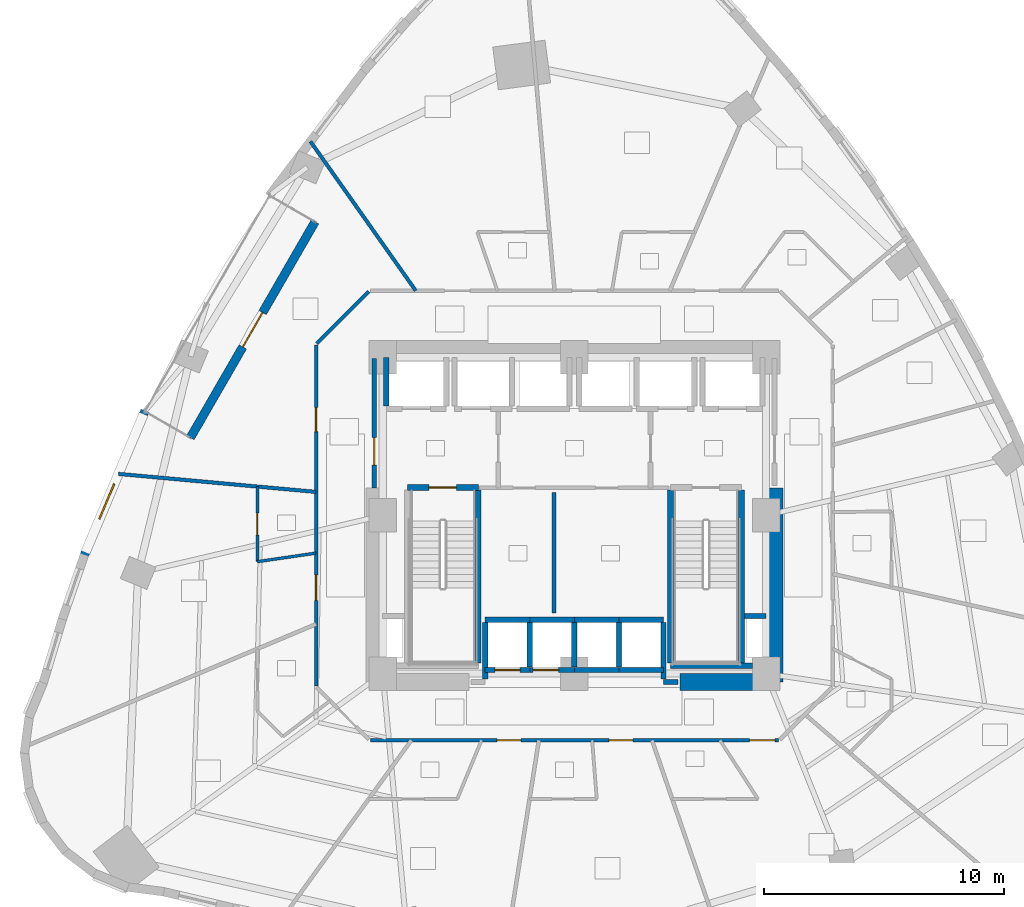
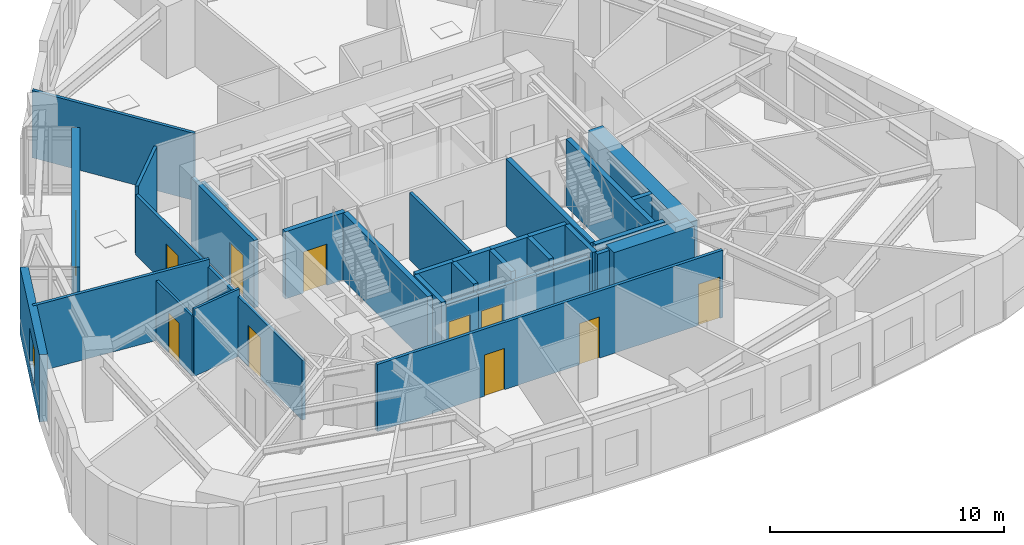
# One storey, part 6 of 12: 34 walls, 11 doors, 1 window, 12 openings.
"""IFC4 building model written with IfcOpenShell, lengths in metres."""

from ifc_helpers import new_model, si_unit, direction, frame, frame_2d, origin, place, context, subcontext, project, spatial, rectangle, extrude, material, layer, layer_set, type_object, element, fill, save


model = new_model("IFC4")

# Units and contexts
model_context = context("Model", 3, precision=1e-05, world=origin(), true_north=direction((0.0, 1.0)))
body_context = subcontext(model_context, "Body", "Model", "MODEL_VIEW")
ifc_project = project(units=[si_unit("LENGTHUNIT", "METRE"), si_unit("AREAUNIT", "SQUARE_METRE"), si_unit("VOLUMEUNIT", "CUBIC_METRE"), si_unit("PLANEANGLEUNIT", "RADIAN"), si_unit("MASSUNIT", "GRAM", prefix="KILO")], contexts=[model_context])

# Site, building, storey
site_placement = place(None, origin())
site = spatial("IfcSite", under=ifc_project, at=site_placement, CompositionType="ELEMENT")
building_placement = place(site_placement, origin())
building = spatial("IfcBuilding", under=site, at=building_placement, Name="Ndelora Gate Hotel", CompositionType="ELEMENT")
storey_placement = place(building_placement, frame((0.0, 0.0, 38.0)))
storey = spatial("IfcBuildingStorey", under=building, at=storey_placement, Name="L08", CompositionType="ELEMENT", Elevation=38.0)

# Wall, opening, door
ifc_material_1 = material(Name="Clay Brick Masonry", Category="masonry")
ifc_layer_1 = layer(ifc_material_1, 0.360107421875)
ifc_layer_set_1 = layer_set([ifc_layer_1], Name="Clay Brick Masonry")
wall_type_1 = type_object("IfcWallType", Name="WL-BRICK-360", PredefinedType="SOLIDWALL", material=ifc_layer_set_1)
wall_1_placement = place(storey_placement, frame((-16.02490234375, 3.24755859375, 0.0), z_axis=(0.0, 0.0, 1.0), x_axis=(0.499999493275, 0.866025696342, 0.0)))
wall_1 = element("IfcWall", 1, at=wall_1_placement, inside=storey, type_object=wall_type_1, Name="L08 Sky-Garden Loggia Rear Brick Wall", PredefinedType="SOLIDWALL", context=body_context, shape_type="SweptSolid", body=[
    extrude(rectangle(XDim=10.39990234375, YDim=0.360107421875, at=frame_2d((5.199951171875, 0.0))), origin(), (0.0, 0.0, 1.0), 3.5),
])
opening_1_placement = place(wall_1_placement, frame((4.375, 0.0, 0.0)))
opening_1 = element("IfcOpeningElement", 2, at=opening_1_placement, cuts=wall_1, Name="Opening TD1", PredefinedType="OPENING", context=body_context, shape_type="SweptSolid", body=[
    extrude(rectangle(XDim=1.64990234375, YDim=2.25, at=frame_2d((0.824951171875, 1.125))), frame((0.0, 0.18994140625, 0.0), z_axis=(0.0, -1.0, 0.0), x_axis=(1.0, 0.0, 0.0)), (0.0, 0.0, 1.0), 0.380126953125),
])
ifc_material_2 = material(Name="Architectural Bronze Glazed Door", Category="metal")
door_type_1 = type_object("IfcDoorType", Name="DR-TER-1650", OperationType="DOUBLE_DOOR_SINGLE_SWING", PredefinedType="DOOR", material=ifc_material_2)
door_1_placement = place(opening_1_placement, origin())
door_1 = element("IfcDoor", 3, at=door_1_placement, inside=storey, type_object=door_type_1, Name="L08 Sky-Garden Terrace Double Door TD1", OperationType="DOUBLE_DOOR_SINGLE_SWING", OverallHeight=2.25, OverallWidth=1.64990234375, PredefinedType="DOOR", context=body_context, shape_type="SweptSolid", body=[
    extrude(rectangle(XDim=1.64990234375, YDim=2.25, at=frame_2d((0.824951171875, 1.125))), frame((0.0, 0.02490234375, 0.0), z_axis=(0.0, -1.0, 0.0), x_axis=(1.0, 0.0, 0.0)), (0.0, 0.0, 1.0), 0.050048828125),
])
fill(opening_1, door_1)

# Wall, opening, window
wall_2_placement = place(storey_placement, frame((-20.46630859375, -1.681640625, 0.0), z_axis=(0.0, 0.0, 1.0), x_axis=(0.387744465456, 0.921766906277, 0.0)))
wall_2 = element("IfcWall", 4, at=wall_2_placement, inside=storey, type_object=wall_type_1, Name="L08 Tower Brick Pier-and-Spandrel Wall TWR-16", PredefinedType="SOLIDWALL", context=body_context, shape_type="SweptSolid", body=[
    extrude(rectangle(XDim=6.56591796875, YDim=0.360107421875, at=frame_2d((3.282958984375, 0.0))), origin(), (0.0, 0.0, 1.0), 3.5),
])
opening_2_placement = place(wall_2_placement, frame((1.659912109375, 0.0, 0.719970703125)))
opening_2 = element("IfcOpeningElement", 5, at=opening_2_placement, cuts=wall_2, Name="Opening W01", PredefinedType="OPENING", context=body_context, shape_type="SweptSolid", body=[
    extrude(rectangle(XDim=1.60009765625, YDim=1.8798828125, at=frame_2d((0.800048828125, 0.93994140625))), frame((0.0, 0.18994140625, 0.0), z_axis=(0.0, -1.0, 0.0), x_axis=(1.0, 0.0, 0.0)), (0.0, 0.0, 1.0), 0.380126953125),
])
ifc_material_3 = material(Name="Insulated Low-E Double Glazing in Bronze Aluminium Frame", Category="aluminium")
window_type = type_object("IfcWindowType", Name="WN-DEEP-1600", PartitioningType="SINGLE_PANEL", PredefinedType="WINDOW", material=ifc_material_3)
window_placement = place(opening_2_placement, origin())
window = element("IfcWindow", 6, at=window_placement, inside=storey, type_object=window_type, Name="L08 Deep-Set Brick-Pier Window W01", OverallHeight=1.8798828125, OverallWidth=1.60009765625, PartitioningType="SINGLE_PANEL", PredefinedType="WINDOW", context=body_context, shape_type="SweptSolid", body=[
    extrude(rectangle(XDim=1.60009765625, YDim=1.8798828125, at=frame_2d((0.800048828125, 0.93994140625))), frame((0.0, 0.030029296875, 0.0), z_axis=(0.0, -1.0, 0.0), x_axis=(1.0, 0.0, 0.0)), (0.0, 0.0, 1.0), 0.06005859375),
])
fill(opening_2, window)

# Walls
ifc_material_4 = material(Name="Concrete C60/75", Category="concrete")
ifc_layer_2 = layer(ifc_material_4, 0.699951171875)
ifc_layer_set_2 = layer_set([ifc_layer_2], Name="Concrete C60/75")
wall_type_2 = type_object("IfcWallType", Name="WL-CORE-700", PredefinedType="SHEAR", material=ifc_layer_set_2)
wall_3_placement = place(storey_placement, frame((4.39990234375, -6.949951171875, 0.0), z_axis=(0.0, 0.0, 1.0), x_axis=(1.0, 0.0, 0.0)))
element("IfcWall", 7, at=wall_3_placement, inside=storey, type_object=wall_type_2, Name="L08 Core Shear Wall S-E", PredefinedType="SHEAR", context=body_context, shape_type="SweptSolid", body=[
    extrude(rectangle(XDim=3.9501953125, YDim=0.699951171875, at=frame_2d((1.97509765625, 0.0))), origin(), (0.0, 0.0, 1.0), 3.5),
])
wall_4_placement = place(storey_placement, frame((8.35009765625, -6.949951171875, 0.0), z_axis=(0.0, 0.0, 1.0), x_axis=(0.0, 1.0, 0.0)))
element("IfcWall", 8, at=wall_4_placement, inside=storey, type_object=wall_type_2, Name="L08 Core Shear Wall E", PredefinedType="SHEAR", context=body_context, shape_type="SweptSolid", body=[
    extrude(rectangle(XDim=8.099853515625, YDim=0.699951171875, at=frame_2d((4.0498046875, 0.0))), origin(), (0.0, 0.0, 1.0), 3.5),
])

# Wall, opening, door
ifc_material_5 = material(Name="Concrete C40/50", Category="concrete")
ifc_layer_3 = layer(ifc_material_5, 0.199951171875)
ifc_layer_set_3 = layer_set([ifc_layer_3], Name="Concrete C40/50")
wall_type_3 = type_object("IfcWallType", Name="WL-FIRE-200", PredefinedType="PARTITIONING", material=ifc_layer_set_3)
wall_5_placement = place(storey_placement, frame((-8.35009765625, 1.14990234375, 0.0), z_axis=(0.0, 0.0, 1.0), x_axis=(0.0, 1.0, 0.0)))
wall_5 = element("IfcWall", 9, at=wall_5_placement, inside=storey, type_object=wall_type_3, Name="L08 Interior Wall IW-2", PredefinedType="PARTITIONING", context=body_context, shape_type="SweptSolid", body=[
    extrude(rectangle(XDim=5.400146484375, YDim=0.199951171875, at=frame_2d((2.7001953125, 0.0))), origin(), (0.0, 0.0, 1.0), 3.5),
])
opening_3_placement = place(wall_5_placement, frame((0.949951171875, 0.0, 0.0)))
opening_3 = element("IfcOpeningElement", 10, at=opening_3_placement, cuts=wall_5, Name="Opening FD1", PredefinedType="OPENING", context=body_context, shape_type="SweptSolid", body=[
    extrude(rectangle(XDim=1.14990234375, YDim=2.14990234375, at=frame_2d((0.574951171875, 1.074951171875))), frame((0.0, 0.10986328125, 0.0), z_axis=(0.0, -1.0, 0.0), x_axis=(1.0, 0.0, 0.0)), (0.0, 0.0, 1.0), 0.219970703125),
])
ifc_material_6 = material(Name="Fire-Rated Timber-Veneer Steel Core", Category="steel")
door_type_2 = type_object("IfcDoorType", Name="DR-FD60", OperationType="SINGLE_SWING_LEFT", PredefinedType="DOOR", material=ifc_material_6)
door_2_placement = place(opening_3_placement, origin())
door_2 = element("IfcDoor", 11, at=door_2_placement, inside=storey, type_object=door_type_2, Name="L08 Firefighting Lobby West Corridor Door", OperationType="SINGLE_SWING_LEFT", OverallHeight=2.14990234375, OverallWidth=1.14990234375, PredefinedType="DOOR", context=body_context, shape_type="SweptSolid", body=[
    extrude(rectangle(XDim=1.14990234375, YDim=2.14990234375, at=frame_2d((0.574951171875, 1.074951171875))), frame((0.0, 0.02490234375, 0.0), z_axis=(0.0, -1.0, 0.0), x_axis=(1.0, 0.0, 0.0)), (0.0, 0.0, 1.0), 0.050048828125),
])
fill(opening_3, door_2)

# Walls
wall_6_placement = place(storey_placement, frame((3.719970703125, -6.949951171875, 0.0), z_axis=(0.0, 0.0, 1.0), x_axis=(1.0, 0.0, 0.0)))
element("IfcWall", 12, at=wall_6_placement, inside=storey, type_object=wall_type_3, Name="L08 Interior Wall IW-2", PredefinedType="PARTITIONING", context=body_context, shape_type="SweptSolid", body=[
    extrude(rectangle(XDim=0.60009765625, YDim=0.199951171875, at=frame_2d((0.300048828125, 0.0))), origin(), (0.0, 0.0, 1.0), 3.5),
])
ifc_material_7 = material(Name="Fire-Rated Gypsum Stud Partition", Category="gypsum")
ifc_layer_4 = layer(ifc_material_7, 0.14990234375)
ifc_layer_set_4 = layer_set([ifc_layer_4], Name="Fire-Rated Gypsum Stud Partition")
wall_type_4 = type_object("IfcWallType", Name="WL-PART-150", PredefinedType="PARTITIONING", material=ifc_layer_set_4)
wall_7_placement = place(storey_placement, frame((-0.85009765625, -4.080078125, 0.0), z_axis=(0.0, 0.0, 1.0), x_axis=(0.0, 1.0, 0.0)))
element("IfcWall", 13, at=wall_7_placement, inside=storey, type_object=wall_type_4, Name="L08 Interior Wall IW-5", PredefinedType="PARTITIONING", context=body_context, shape_type="SweptSolid", body=[
    extrude(rectangle(XDim=5.030029296875, YDim=0.14990234375, at=frame_2d((2.51513671875, 0.0))), origin(), (0.0, 0.0, 1.0), 3.5),
])

# Wall, openings, doors
wall_8_placement = place(storey_placement, frame((8.510009765625, -9.3798828125, 0.0), z_axis=(0.0, 0.0, 1.0), x_axis=(-1.0, 0.0, 0.0)))
wall_8 = element("IfcWall", 14, at=wall_8_placement, inside=storey, type_object=wall_type_4, Name="L08 Interior Wall IW-5", PredefinedType="PARTITIONING", context=body_context, shape_type="SweptSolid", body=[
    extrude(rectangle(XDim=17.02001953125, YDim=0.14990234375, at=frame_2d((8.510009765625, 0.0))), origin(), (0.0, 0.0, 1.0), 3.5),
])
opening_4_placement = place(wall_8_placement, frame((6.0654296875, 0.0, 0.0)))
opening_4 = element("IfcOpeningElement", 15, at=opening_4_placement, cuts=wall_8, Name="Opening D01", PredefinedType="OPENING", context=body_context, shape_type="SweptSolid", body=[
    extrude(rectangle(XDim=1.0, YDim=2.14990234375, at=frame_2d((0.5, 1.074951171875))), frame((0.0, 0.0849609375, 0.0), z_axis=(0.0, -1.0, 0.0), x_axis=(1.0, 0.0, 0.0)), (0.0, 0.0, 1.0), 0.169921875),
])
opening_5_placement = place(wall_8_placement, frame((10.745361328125, 0.0, 0.0)))
opening_5 = element("IfcOpeningElement", 16, at=opening_5_placement, cuts=wall_8, Name="Opening D01", PredefinedType="OPENING", context=body_context, shape_type="SweptSolid", body=[
    extrude(rectangle(XDim=1.0, YDim=2.14990234375, at=frame_2d((0.5, 1.074951171875))), frame((0.0, 0.0849609375, 0.0), z_axis=(0.0, -1.0, 0.0), x_axis=(1.0, 0.0, 0.0)), (0.0, 0.0, 1.0), 0.169921875),
])
opening_6_placement = place(wall_8_placement, frame((0.139892578125, 0.0, 0.0)))
opening_6 = element("IfcOpeningElement", 17, at=opening_6_placement, cuts=wall_8, Name="Opening D07", PredefinedType="OPENING", context=body_context, shape_type="SweptSolid", body=[
    extrude(rectangle(XDim=1.06005859375, YDim=2.14990234375, at=frame_2d((0.530029296875, 1.074951171875))), frame((0.0, 0.0849609375, 0.0), z_axis=(0.0, -1.0, 0.0), x_axis=(1.0, 0.0, 0.0)), (0.0, 0.0, 1.0), 0.169921875),
])
ifc_material_8 = material(Name="Acoustic Hardwood Guest Entrance Door", Category="wood")
door_type_3 = type_object("IfcDoorType", Name="DR-COR-1000", OperationType="SINGLE_SWING_LEFT", PredefinedType="DOOR", material=ifc_material_8)
door_3_placement = place(opening_4_placement, origin())
door_3 = element("IfcDoor", 18, at=door_3_placement, inside=storey, type_object=door_type_3, Name="L08 Executive King Guest Room 1107 Entrance Door", OperationType="SINGLE_SWING_LEFT", OverallHeight=2.14990234375, OverallWidth=1.0, PredefinedType="DOOR", context=body_context, shape_type="SweptSolid", body=[
    extrude(rectangle(XDim=1.0, YDim=2.14990234375, at=frame_2d((0.5, 1.074951171875))), frame((0.0, 0.02490234375, 0.0), z_axis=(0.0, -1.0, 0.0), x_axis=(1.0, 0.0, 0.0)), (0.0, 0.0, 1.0), 0.050048828125),
])
fill(opening_4, door_3)
door_4_placement = place(opening_5_placement, origin())
door_4 = element("IfcDoor", 19, at=door_4_placement, inside=storey, type_object=door_type_3, Name="L08 Superior Double Guest Room 1106 Entrance Door", OperationType="SINGLE_SWING_RIGHT", OverallHeight=2.14990234375, OverallWidth=1.0, PredefinedType="DOOR", context=body_context, shape_type="SweptSolid", body=[
    extrude(rectangle(XDim=1.0, YDim=2.14990234375, at=frame_2d((0.5, 1.074951171875))), frame((0.0, 0.02490234375, 0.0), z_axis=(0.0, -1.0, 0.0), x_axis=(1.0, 0.0, 0.0)), (0.0, 0.0, 1.0), 0.050048828125),
])
fill(opening_5, door_4)
ifc_material_9 = material(Name="Diplomatic Suite Acoustic Entrance Door", Category="wood")
door_type_4 = type_object("IfcDoorType", Name="DR-SUITE-1060", OperationType="SINGLE_SWING_LEFT", PredefinedType="DOOR", material=ifc_material_9)
door_5_placement = place(opening_6_placement, origin())
door_5 = element("IfcDoor", 20, at=door_5_placement, inside=storey, type_object=door_type_4, Name="L08 Corner Junior Suite 1108 Entrance Door", OperationType="SINGLE_SWING_LEFT", OverallHeight=2.14990234375, OverallWidth=1.06005859375, PredefinedType="DOOR", context=body_context, shape_type="SweptSolid", body=[
    extrude(rectangle(XDim=1.06005859375, YDim=2.14990234375, at=frame_2d((0.530029296875, 1.074951171875))), frame((0.0, 0.02490234375, 0.0), z_axis=(0.0, -1.0, 0.0), x_axis=(1.0, 0.0, 0.0)), (0.0, 0.0, 1.0), 0.050048828125),
])
fill(opening_6, door_5)

# Wall
wall_9_placement = place(storey_placement, frame((-10.751708984375, 7.17822265625, 0.0), z_axis=(0.0, 0.0, 1.0), x_axis=(0.707067066127, 0.707146494016, 0.0)))
element("IfcWall", 21, at=wall_9_placement, inside=storey, type_object=wall_type_4, Name="L08 Interior Wall IW-5", PredefinedType="PARTITIONING", context=body_context, shape_type="SweptSolid", body=[
    extrude(rectangle(XDim=3.07373046875, YDim=0.14990234375, at=frame_2d((1.536865234375, 0.0))), origin(), (0.0, 0.0, 1.0), 3.5),
])

# Wall, openings, doors
wall_10_placement = place(storey_placement, frame((-10.780029296875, -7.110107421875, 0.0), z_axis=(0.0, 0.0, 1.0), x_axis=(0.0, 1.0, 0.0)))
wall_10 = element("IfcWall", 22, at=wall_10_placement, inside=storey, type_object=wall_type_4, Name="L08 Interior Wall IW-5", PredefinedType="PARTITIONING", context=body_context, shape_type="SweptSolid", body=[
    extrude(rectangle(XDim=14.22021484375, YDim=0.14990234375, at=frame_2d((7.110107421875, 0.0))), origin(), (0.0, 0.0, 1.0), 3.1201171875),
])
opening_7_placement = place(wall_10_placement, frame((10.6064453125, 0.0, 0.0)))
opening_7 = element("IfcOpeningElement", 23, at=opening_7_placement, cuts=wall_10, Name="Opening D01", PredefinedType="OPENING", context=body_context, shape_type="SweptSolid", body=[
    extrude(rectangle(XDim=1.0, YDim=2.14990234375, at=frame_2d((0.5, 1.074951171875))), frame((0.0, 0.0849609375, 0.0), z_axis=(0.0, -1.0, 0.0), x_axis=(1.0, 0.0, 0.0)), (0.0, 0.0, 1.0), 0.169921875),
])
opening_8_placement = place(wall_10_placement, frame((3.56982421875, 0.0, 0.0)))
opening_8 = element("IfcOpeningElement", 24, at=opening_8_placement, cuts=wall_10, Name="Opening D07", PredefinedType="OPENING", context=body_context, shape_type="SweptSolid", body=[
    extrude(rectangle(XDim=1.06005859375, YDim=2.14990234375, at=frame_2d((0.530029296875, 1.074951171875))), frame((0.0, 0.0849609375, 0.0), z_axis=(0.0, -1.0, 0.0), x_axis=(1.0, 0.0, 0.0)), (0.0, 0.0, 1.0), 0.169921875),
])
door_6_placement = place(opening_7_placement, origin())
door_6 = element("IfcDoor", 25, at=door_6_placement, inside=storey, type_object=door_type_3, Name="L08 Sky Garden Tea Dining Room Entrance Door", OperationType="SINGLE_SWING_LEFT", OverallHeight=2.14990234375, OverallWidth=1.0, PredefinedType="DOOR", context=body_context, shape_type="SweptSolid", body=[
    extrude(rectangle(XDim=1.0, YDim=2.14990234375, at=frame_2d((0.5, 1.074951171875))), frame((0.0, 0.02490234375, 0.0), z_axis=(0.0, -1.0, 0.0), x_axis=(1.0, 0.0, 0.0)), (0.0, 0.0, 1.0), 0.050048828125),
])
fill(opening_7, door_6)
door_7_placement = place(opening_8_placement, origin())
door_7 = element("IfcDoor", 26, at=door_7_placement, inside=storey, type_object=door_type_4, Name="L08 Deluxe King Junior Suite 1104 Entrance Door", OperationType="SINGLE_SWING_RIGHT", OverallHeight=2.14990234375, OverallWidth=1.06005859375, PredefinedType="DOOR", context=body_context, shape_type="SweptSolid", body=[
    extrude(rectangle(XDim=1.06005859375, YDim=2.14990234375, at=frame_2d((0.530029296875, 1.074951171875))), frame((0.0, 0.02490234375, 0.0), z_axis=(0.0, -1.0, 0.0), x_axis=(1.0, 0.0, 0.0)), (0.0, 0.0, 1.0), 0.050048828125),
])
fill(opening_8, door_7)

# Walls
wall_11_placement = place(storey_placement, frame((-6.619140625, 9.3798828125, 0.0), z_axis=(0.0, 0.0, 1.0), x_axis=(-0.576560044714, 0.817054780807, 0.0)))
element("IfcWall", 27, at=wall_11_placement, inside=storey, type_object=wall_type_4, Name="L08 Interior Wall IW-5", PredefinedType="PARTITIONING", context=body_context, shape_type="SweptSolid", body=[
    extrude(rectangle(XDim=7.6279296875, YDim=0.14990234375, at=frame_2d((3.81396484375, 0.0))), origin(), (0.0, 0.0, 1.0), 3.5),
])
wall_12_placement = place(storey_placement, frame((-10.780029296875, 0.98291015625, 0.0), z_axis=(0.0, 0.0, 1.0), x_axis=(-0.995868528088, 0.090806799107, 0.0)))
element("IfcWall", 28, at=wall_12_placement, inside=storey, type_object=wall_type_4, Name="L08 Interior Wall IW-5", PredefinedType="PARTITIONING", context=body_context, shape_type="SweptSolid", body=[
    extrude(rectangle(XDim=8.283447265625, YDim=0.14990234375, at=frame_2d((4.1416015625, 0.0))), origin(), (0.0, 0.0, 1.0), 3.5),
])
ifc_layer_5 = layer(ifc_material_5, 0.219970703125)
ifc_layer_set_5 = layer_set([ifc_layer_5], Name="Concrete C40/50")
wall_type_5 = type_object("IfcWallType", Name="WL-SHAFT-220", PredefinedType="PARTITIONING", material=ifc_layer_set_5)
wall_13_placement = place(storey_placement, frame((7.090087890625, -4.199951171875, 0.0), z_axis=(0.0, 0.0, 1.0), x_axis=(1.0, 0.0, 0.0)))
element("IfcWall", 29, at=wall_13_placement, inside=storey, type_object=wall_type_5, Name="L08 Interior Wall IW-1", PredefinedType="PARTITIONING", context=body_context, shape_type="SweptSolid", body=[
    extrude(rectangle(XDim=0.909912109375, YDim=0.219970703125, at=frame_2d((0.455078125, 0.0))), origin(), (0.0, 0.0, 1.0), 3.5),
])
wall_14_placement = place(storey_placement, frame((-7.85009765625, 4.570068359375, 0.0), z_axis=(0.0, 0.0, 1.0), x_axis=(0.0, 1.0, 0.0)))
element("IfcWall", 30, at=wall_14_placement, inside=storey, type_object=wall_type_5, Name="L08 Interior Wall IW-1", PredefinedType="PARTITIONING", context=body_context, shape_type="SweptSolid", body=[
    extrude(rectangle(XDim=2.030029296875, YDim=0.219970703125, at=frame_2d((1.01513671875, 0.0))), origin(), (0.0, 0.0, 1.0), 3.080078125),
])

# Wall, opening, door
wall_15_placement = place(storey_placement, frame((-3.719970703125, -6.449951171875, 0.0), z_axis=(0.0, 0.0, 1.0), x_axis=(1.0, 0.0, 0.0)))
wall_15 = element("IfcWall", 31, at=wall_15_placement, inside=storey, type_object=wall_type_5, Name="L08 Interior Wall IW-1", PredefinedType="PARTITIONING", context=body_context, shape_type="SweptSolid", body=[
    extrude(rectangle(XDim=1.85986328125, YDim=0.219970703125, at=frame_2d((0.929931640625, 0.0))), origin(), (0.0, 0.0, 1.0), 3.080078125),
])
opening_9_placement = place(wall_15_placement, frame((0.39990234375, 0.0, 0.0)))
opening_9 = element("IfcOpeningElement", 32, at=opening_9_placement, cuts=wall_15, Name="Opening LD1", PredefinedType="OPENING", context=body_context, shape_type="SweptSolid", body=[
    extrude(rectangle(XDim=1.06005859375, YDim=2.14990234375, at=frame_2d((0.530029296875, 1.074951171875))), frame((0.0, 0.1201171875, 0.0), z_axis=(0.0, -1.0, 0.0), x_axis=(1.0, 0.0, 0.0)), (0.0, 0.0, 1.0), 0.239990234375),
])
ifc_material_10 = material(Name="Brushed Bronze Stainless Lift Landing Door", Category="metal")
door_type_5 = type_object("IfcDoorType", Name="DR-LD1", OperationType="DOUBLE_DOOR_SLIDING", PredefinedType="DOOR", material=ifc_material_10)
door_8_placement = place(opening_9_placement, origin())
door_8 = element("IfcDoor", 33, at=door_8_placement, inside=storey, type_object=door_type_5, Name="L08 Lift Landing Sliding Door P1A", OperationType="DOUBLE_DOOR_SLIDING", OverallHeight=2.14990234375, OverallWidth=1.06005859375, PredefinedType="DOOR", context=body_context, shape_type="SweptSolid", body=[
    extrude(rectangle(XDim=1.06005859375, YDim=2.14990234375, at=frame_2d((0.530029296875, 1.074951171875))), frame((0.0, 0.02490234375, 0.0), z_axis=(0.0, -1.0, 0.0), x_axis=(1.0, 0.0, 0.0)), (0.0, 0.0, 1.0), 0.050048828125),
])
fill(opening_9, door_8)

# Walls
wall_16_placement = place(storey_placement, frame((-3.719970703125, -4.35009765625, 0.0), z_axis=(0.0, 0.0, 1.0), x_axis=(1.0, 0.0, 0.0)))
element("IfcWall", 34, at=wall_16_placement, inside=storey, type_object=wall_type_5, Name="L08 Interior Wall IW-1", PredefinedType="PARTITIONING", context=body_context, shape_type="SweptSolid", body=[
    extrude(rectangle(XDim=1.85986328125, YDim=0.219970703125, at=frame_2d((0.929931640625, 0.0))), origin(), (0.0, 0.0, 1.0), 3.5),
])
wall_17_placement = place(storey_placement, frame((-3.719970703125, -6.830078125, 0.0), z_axis=(0.0, 0.0, 1.0), x_axis=(0.0, 1.0, 0.0)))
element("IfcWall", 35, at=wall_17_placement, inside=storey, type_object=wall_type_5, Name="L08 Interior Wall IW-1", PredefinedType="PARTITIONING", context=body_context, shape_type="SweptSolid", body=[
    extrude(rectangle(XDim=2.360107421875, YDim=0.219970703125, at=frame_2d((1.18017578125, 0.0))), origin(), (0.0, 0.0, 1.0), 3.5),
])
wall_18_placement = place(storey_placement, frame((-1.860107421875, -6.330078125, 0.0), z_axis=(0.0, 0.0, 1.0), x_axis=(0.0, 1.0, 0.0)))
element("IfcWall", 36, at=wall_18_placement, inside=storey, type_object=wall_type_5, Name="L08 Interior Wall IW-1", PredefinedType="PARTITIONING", context=body_context, shape_type="SweptSolid", body=[
    extrude(rectangle(XDim=1.860107421875, YDim=0.219970703125, at=frame_2d((0.93017578125, 0.0))), origin(), (0.0, 0.0, 1.0), 3.5),
])

# Wall, opening, door
wall_19_placement = place(storey_placement, frame((-1.860107421875, -6.449951171875, 0.0), z_axis=(0.0, 0.0, 1.0), x_axis=(1.0, 0.0, 0.0)))
wall_19 = element("IfcWall", 37, at=wall_19_placement, inside=storey, type_object=wall_type_5, Name="L08 Interior Wall IW-1", PredefinedType="PARTITIONING", context=body_context, shape_type="SweptSolid", body=[
    extrude(rectangle(XDim=1.860107421875, YDim=0.219970703125, at=frame_2d((0.93017578125, 0.0))), origin(), (0.0, 0.0, 1.0), 3.080078125),
])
opening_10_placement = place(wall_19_placement, frame((0.139892578125, 0.0, 0.0)))
opening_10 = element("IfcOpeningElement", 38, at=opening_10_placement, cuts=wall_19, Name="Opening LD1", PredefinedType="OPENING", context=body_context, shape_type="SweptSolid", body=[
    extrude(rectangle(XDim=1.06005859375, YDim=2.14990234375, at=frame_2d((0.530029296875, 1.074951171875))), frame((0.0, 0.1201171875, 0.0), z_axis=(0.0, -1.0, 0.0), x_axis=(1.0, 0.0, 0.0)), (0.0, 0.0, 1.0), 0.239990234375),
])
door_9_placement = place(opening_10_placement, origin())
door_9 = element("IfcDoor", 39, at=door_9_placement, inside=storey, type_object=door_type_5, Name="L08 Lift Landing Sliding Door P1B", OperationType="DOUBLE_DOOR_SLIDING", OverallHeight=2.14990234375, OverallWidth=1.06005859375, PredefinedType="DOOR", context=body_context, shape_type="SweptSolid", body=[
    extrude(rectangle(XDim=1.06005859375, YDim=2.14990234375, at=frame_2d((0.530029296875, 1.074951171875))), frame((0.0, 0.02490234375, 0.0), z_axis=(0.0, -1.0, 0.0), x_axis=(1.0, 0.0, 0.0)), (0.0, 0.0, 1.0), 0.050048828125),
])
fill(opening_10, door_9)

# Walls
for number, where, z_axis, x_axis, name in (
    (40, (-1.860107421875, -4.35009765625, 0.0), (0.0, 0.0, 1.0), (1.0, 0.0, 0.0), "L08 Interior Wall IW-1"),
    (41, (0.0, -6.330078125, 0.0), (0.0, 0.0, 1.0), (0.0, 1.0, 0.0), "L08 Interior Wall IW-1"),
):
    element("IfcWall", number, at=place(storey_placement, frame(where, z_axis=z_axis, x_axis=x_axis)), inside=storey, type_object=wall_type_5, Name=name, PredefinedType="PARTITIONING", context=body_context, shape_type="SweptSolid", body=[
        extrude(rectangle(XDim=1.860107421875, YDim=0.219970703125, at=frame_2d((0.93017578125, 0.0))), origin(), (0.0, 0.0, 1.0), 3.5),
    ])
wall_20_placement = place(storey_placement, frame((0.0, -6.449951171875, 0.0), z_axis=(0.0, 0.0, 1.0), x_axis=(1.0, 0.0, 0.0)))
element("IfcWall", 42, at=wall_20_placement, inside=storey, type_object=wall_type_5, Name="L08 Interior Wall IW-1", PredefinedType="PARTITIONING", context=body_context, shape_type="SweptSolid", body=[
    extrude(rectangle(XDim=1.860107421875, YDim=0.219970703125, at=frame_2d((0.93017578125, 0.0))), origin(), (0.0, 0.0, 1.0), 3.080078125),
])
for number, where, z_axis, x_axis, name in (
    (43, (0.0, -4.35009765625, 0.0), (0.0, 0.0, 1.0), (1.0, 0.0, 0.0), "L08 Interior Wall IW-1"),
    (44, (1.860107421875, -6.330078125, 0.0), (0.0, 0.0, 1.0), (0.0, 1.0, 0.0), "L08 Interior Wall IW-1"),
):
    element("IfcWall", number, at=place(storey_placement, frame(where, z_axis=z_axis, x_axis=x_axis)), inside=storey, type_object=wall_type_5, Name=name, PredefinedType="PARTITIONING", context=body_context, shape_type="SweptSolid", body=[
        extrude(rectangle(XDim=1.860107421875, YDim=0.219970703125, at=frame_2d((0.93017578125, 0.0))), origin(), (0.0, 0.0, 1.0), 3.5),
    ])
wall_21_placement = place(storey_placement, frame((1.860107421875, -6.449951171875, 0.0), z_axis=(0.0, 0.0, 1.0), x_axis=(1.0, 0.0, 0.0)))
element("IfcWall", 45, at=wall_21_placement, inside=storey, type_object=wall_type_5, Name="L08 Interior Wall IW-1", PredefinedType="PARTITIONING", context=body_context, shape_type="SweptSolid", body=[
    extrude(rectangle(XDim=1.85986328125, YDim=0.219970703125, at=frame_2d((0.929931640625, 0.0))), origin(), (0.0, 0.0, 1.0), 3.080078125),
])
wall_22_placement = place(storey_placement, frame((1.860107421875, -4.35009765625, 0.0), z_axis=(0.0, 0.0, 1.0), x_axis=(1.0, 0.0, 0.0)))
element("IfcWall", 46, at=wall_22_placement, inside=storey, type_object=wall_type_5, Name="L08 Interior Wall IW-1", PredefinedType="PARTITIONING", context=body_context, shape_type="SweptSolid", body=[
    extrude(rectangle(XDim=1.85986328125, YDim=0.219970703125, at=frame_2d((0.929931640625, 0.0))), origin(), (0.0, 0.0, 1.0), 3.5),
])
wall_23_placement = place(storey_placement, frame((3.719970703125, -6.830078125, 0.0), z_axis=(0.0, 0.0, 1.0), x_axis=(0.0, 1.0, 0.0)))
element("IfcWall", 47, at=wall_23_placement, inside=storey, type_object=wall_type_5, Name="L08 Interior Wall IW-1", PredefinedType="PARTITIONING", context=body_context, shape_type="SweptSolid", body=[
    extrude(rectangle(XDim=2.360107421875, YDim=0.219970703125, at=frame_2d((1.18017578125, 0.0))), origin(), (0.0, 0.0, 1.0), 3.5),
])
ifc_material_11 = material(Name="Concrete C50/60", Category="concrete")
ifc_layer_6 = layer(ifc_material_11, 0.239990234375)
ifc_layer_set_6 = layer_set([ifc_layer_6], Name="Concrete C50/60")
wall_type_6 = type_object("IfcWallType", Name="WL-STAIR-240", PredefinedType="SHEAR", material=ifc_layer_set_6)
wall_24_placement = place(storey_placement, frame((-4.010009765625, -6.159912109375, 0.0), z_axis=(0.0, 0.0, 1.0), x_axis=(0.0, 1.0, 0.0)))
element("IfcWall", 48, at=wall_24_placement, inside=storey, type_object=wall_type_6, Name="L08 Stair Core Shear Wall SW-ST", PredefinedType="SHEAR", context=body_context, shape_type="SweptSolid", body=[
    extrude(rectangle(XDim=7.219970703125, YDim=0.239990234375, at=frame_2d((3.60986328125, 0.0))), origin(), (0.0, 0.0, 1.0), 3.5),
])

# Wall, opening, door
wall_25_placement = place(storey_placement, frame((-6.969970703125, 1.169921875, 0.0), z_axis=(0.0, 0.0, 1.0), x_axis=(1.0, 0.0, 0.0)))
wall_25 = element("IfcWall", 49, at=wall_25_placement, inside=storey, type_object=wall_type_6, Name="L08 Stair Core Shear Wall SW-ST", PredefinedType="SHEAR", context=body_context, shape_type="SweptSolid", body=[
    extrude(rectangle(XDim=2.9599609375, YDim=0.239990234375, at=frame_2d((1.47998046875, 0.0))), origin(), (0.0, 0.0, 1.0), 3.5),
])
opening_11_placement = place(wall_25_placement, frame((0.89990234375, 0.0, 0.0)))
opening_11 = element("IfcOpeningElement", 50, at=opening_11_placement, cuts=wall_25, Name="Opening FD1", PredefinedType="OPENING", context=body_context, shape_type="SweptSolid", body=[
    extrude(rectangle(XDim=1.14990234375, YDim=2.14990234375, at=frame_2d((0.574951171875, 1.074951171875))), frame((0.0, 0.1298828125, 0.0), z_axis=(0.0, -1.0, 0.0), x_axis=(1.0, 0.0, 0.0)), (0.0, 0.0, 1.0), 0.260009765625),
])
door_10_placement = place(opening_11_placement, origin())
door_10 = element("IfcDoor", 51, at=door_10_placement, inside=storey, type_object=door_type_2, Name="L08 Exit Stair ST4 Door", OperationType="SINGLE_SWING_LEFT", OverallHeight=2.14990234375, OverallWidth=1.14990234375, PredefinedType="DOOR", context=body_context, shape_type="SweptSolid", body=[
    extrude(rectangle(XDim=1.14990234375, YDim=2.14990234375, at=frame_2d((0.574951171875, 1.074951171875))), frame((0.0, 0.02490234375, 0.0), z_axis=(0.0, -1.0, 0.0), x_axis=(1.0, 0.0, 0.0)), (0.0, 0.0, 1.0), 0.050048828125),
])
fill(opening_11, door_10)

# Walls
for number, where, z_axis, x_axis, name in (
    (52, (4.010009765625, -6.159912109375, 0.0), (0.0, 0.0, 1.0), (0.0, 1.0, 0.0), "L08 Stair Core Shear Wall SW-ST"),
    (53, (6.969970703125, -6.159912109375, 0.0), (0.0, 0.0, 1.0), (0.0, 1.0, 0.0), "L08 Stair Core Shear Wall SW-ST"),
):
    element("IfcWall", number, at=place(storey_placement, frame(where, z_axis=z_axis, x_axis=x_axis)), inside=storey, type_object=wall_type_6, Name=name, PredefinedType="SHEAR", context=body_context, shape_type="SweptSolid", body=[
        extrude(rectangle(XDim=7.219970703125, YDim=0.239990234375, at=frame_2d((3.60986328125, 0.0))), origin(), (0.0, 0.0, 1.0), 3.5),
    ])
wall_26_placement = place(storey_placement, frame((4.010009765625, -6.27001953125, 0.0), z_axis=(0.0, 0.0, 1.0), x_axis=(1.0, 0.0, 0.0)))
element("IfcWall", 54, at=wall_26_placement, inside=storey, type_object=wall_type_6, Name="L08 Stair Core Shear Wall SW-ST", PredefinedType="SHEAR", context=body_context, shape_type="SweptSolid", body=[
    extrude(rectangle(XDim=3.4150390625, YDim=0.239990234375, at=frame_2d((1.70751953125, 0.0))), origin(), (0.0, 0.0, 1.0), 3.5),
])
ifc_material_12 = material(Name="Moisture-Resistant Bathroom Tile Partition", Category="gypsum")
ifc_layer_7 = layer(ifc_material_12, 0.1201171875)
ifc_layer_set_7 = layer_set([ifc_layer_7], Name="Moisture-Resistant Bathroom Tile Partition")
wall_type_7 = type_object("IfcWallType", Name="WL-WET-120", PredefinedType="PARTITIONING", material=ifc_layer_set_7)
wall_27_placement = place(storey_placement, frame((-10.780029296875, -1.57080078125, 0.0), z_axis=(0.0, 0.0, 1.0), x_axis=(-0.989553213028, -0.144168091425, 0.0)))
element("IfcWall", 55, at=wall_27_placement, inside=storey, type_object=wall_type_7, Name="L08 Interior Wall IW-7", PredefinedType="PARTITIONING", context=body_context, shape_type="SweptSolid", body=[
    extrude(rectangle(XDim=2.475830078125, YDim=0.1201171875, at=frame_2d((1.23779296875, 0.0))), origin(), (0.0, 0.0, 1.0), 3.5),
])

# Wall, opening, door
wall_28_placement = place(storey_placement, frame((-13.22998046875, -1.927734375, 0.0), z_axis=(0.0, 0.0, 1.0), x_axis=(0.0, 1.0, 0.0)))
wall_28 = element("IfcWall", 56, at=wall_28_placement, inside=storey, type_object=wall_type_7, Name="L08 Interior Wall IW-7", PredefinedType="PARTITIONING", context=body_context, shape_type="SweptSolid", body=[
    extrude(rectangle(XDim=3.134033203125, YDim=0.1201171875, at=frame_2d((1.56689453125, 0.0))), origin(), (0.0, 0.0, 1.0), 3.1201171875),
])
opening_12_placement = place(wall_28_placement, frame((1.107177734375, 0.0, 0.0)))
opening_12 = element("IfcOpeningElement", 57, at=opening_12_placement, cuts=wall_28, Name="Opening D03", PredefinedType="OPENING", context=body_context, shape_type="SweptSolid", body=[
    extrude(rectangle(XDim=0.919921875, YDim=2.10009765625, at=frame_2d((0.4599609375, 1.050048828125))), frame((0.0, 0.070068359375, 0.0), z_axis=(0.0, -1.0, 0.0), x_axis=(1.0, 0.0, 0.0)), (0.0, 0.0, 1.0), 0.14013671875),
])
ifc_material_13 = material(Name="Moisture-Resistant Hardwood En-Suite Door", Category="wood")
door_type_6 = type_object("IfcDoorType", Name="DR-BATH-920", OperationType="SINGLE_SWING_LEFT", PredefinedType="DOOR", material=ifc_material_13)
door_11_placement = place(opening_12_placement, origin())
door_11 = element("IfcDoor", 58, at=door_11_placement, inside=storey, type_object=door_type_6, Name="L08 En-suite Bathroom 1104 Door", OperationType="SINGLE_SWING_LEFT", OverallHeight=2.10009765625, OverallWidth=0.919921875, PredefinedType="DOOR", context=body_context, shape_type="SweptSolid", body=[
    extrude(rectangle(XDim=0.919921875, YDim=2.10009765625, at=frame_2d((0.4599609375, 1.050048828125))), frame((0.0, 0.02490234375, 0.0), z_axis=(0.0, -1.0, 0.0), x_axis=(1.0, 0.0, 0.0)), (0.0, 0.0, 1.0), 0.050048828125),
])
fill(opening_12, door_11)

save(model, "model.ifc")
